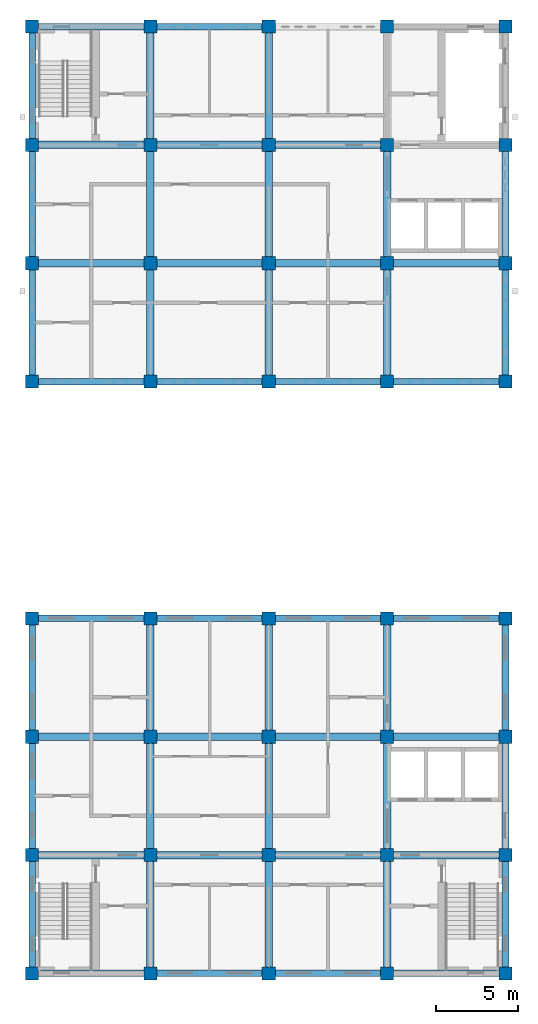
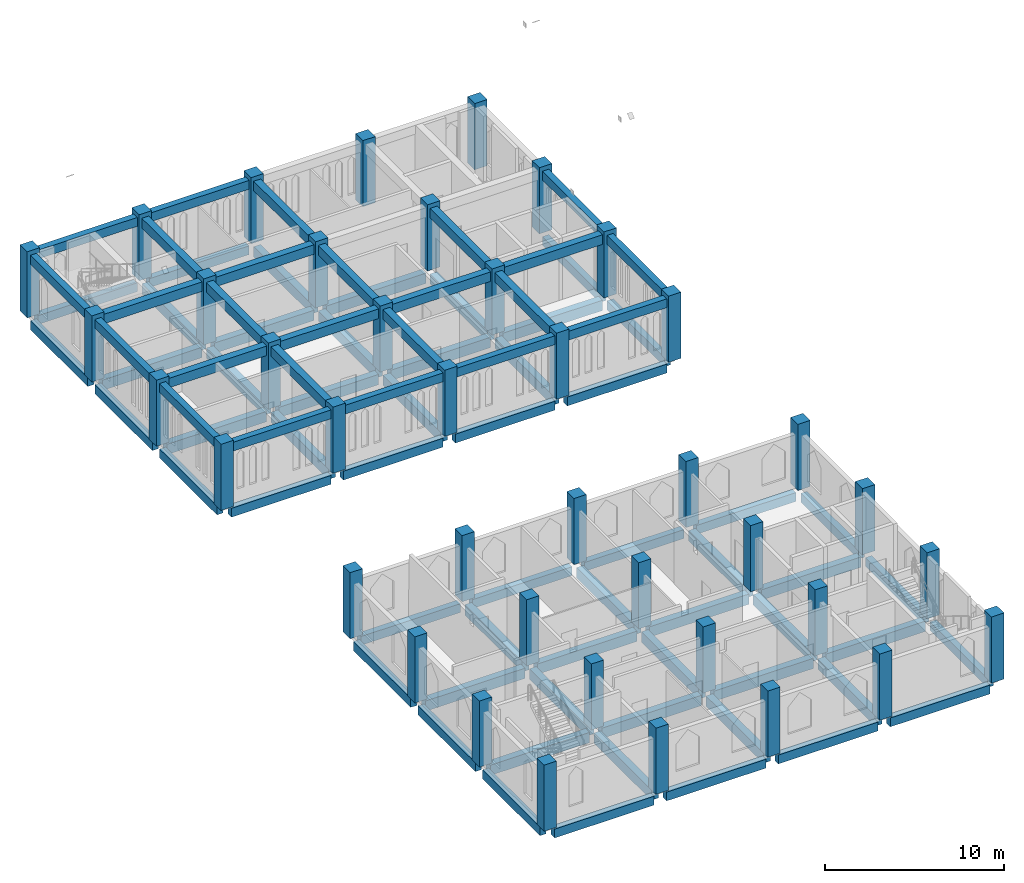
# One storey, part 1 of 13: 82 beams, 40 columns.
"""IFC4 building model written with IfcOpenShell, lengths in metres."""

from ifc_helpers import new_model, si_unit, direction, frame, origin, origin_2d, place, context, subcontext, project, spatial, rectangle, extrude, material, material_profile, profile_set, type_object, element, save


model = new_model("IFC4")

# Units and contexts
model_context = context("Model", 3, precision=1e-05, world=origin(), true_north=direction((0.0, 1.0)))
body_context = subcontext(model_context, "Body", "Model", "MODEL_VIEW")
ifc_project = project(units=[si_unit("LENGTHUNIT", "METRE"), si_unit("AREAUNIT", "SQUARE_METRE"), si_unit("VOLUMEUNIT", "CUBIC_METRE"), si_unit("PLANEANGLEUNIT", "RADIAN"), si_unit("MASSUNIT", "GRAM", prefix="KILO")], contexts=[model_context])

# Site, building, storey
site_placement = place(None, origin())
site = spatial("IfcSite", under=ifc_project, at=site_placement, CompositionType="ELEMENT")
building_placement = place(site_placement, origin())
building = spatial("IfcBuilding", under=site, at=building_placement, Name="Silangan Lancet Faculty of Sciences", CompositionType="ELEMENT")
storey_placement = place(building_placement, frame((0.0, 0.0, 49.800048828125)))
storey = spatial("IfcBuildingStorey", under=building, at=storey_placement, Name="L10", CompositionType="ELEMENT", Elevation=49.800048828125)

# Columns
ifc_material_1 = material(Name="Concrete C40/50", Category="concrete")
ifc_material_profile_1 = material_profile(ifc_material_1, rectangle(XDim=0.800048828125, YDim=0.800048828125, at=origin_2d()), Name="RC 800x800")
ifc_profile_set_1 = profile_set([ifc_material_profile_1], Name="Concrete C40/50")
column_type = type_object("IfcColumnType", Name="COLUMN RC 800x800", PredefinedType="COLUMN", material=ifc_profile_set_1)
for number, where, z_axis, x_axis, name in (
    (1, (0.0, 0.0, 0.0), (0.0, 0.0, 1.0), (1.0, 0.0, 0.0), "COL-L10-1A"),
    (2, (0.0, 7.199951171875, 0.0), (0.0, 0.0, 1.0), (1.0, 0.0, 0.0), "COL-L10-1B"),
    (3, (0.0, 14.39990234375, 0.0), (0.0, 0.0, 1.0), (1.0, 0.0, 0.0), "COL-L10-1C"),
    (4, (0.0, 21.60009765625, 0.0), (0.0, 0.0, 1.0), (1.0, 0.0, 0.0), "COL-L10-1D"),
    (5, (0.0, 36.0, 0.0), (0.0, 0.0, 1.0), (1.0, 0.0, 0.0), "COL-L10-1F"),
    (6, (0.0, 43.199951171875, 0.0), (0.0, 0.0, 1.0), (1.0, 0.0, 0.0), "COL-L10-1G"),
    (7, (0.0, 50.39990234375, 0.0), (0.0, 0.0, 1.0), (1.0, 0.0, 0.0), "COL-L10-1H"),
    (8, (0.0, 57.60009765625, 0.0), (0.0, 0.0, 1.0), (1.0, 0.0, 0.0), "COL-L10-1I"),
    (9, (7.199951171875, 0.0, 0.0), (0.0, 0.0, 1.0), (1.0, 0.0, 0.0), "COL-L10-2A"),
    (10, (7.199951171875, 7.199951171875, 0.0), (0.0, 0.0, 1.0), (1.0, 0.0, 0.0), "COL-L10-2B"),
    (11, (7.199951171875, 14.39990234375, 0.0), (0.0, 0.0, 1.0), (1.0, 0.0, 0.0), "COL-L10-2C"),
    (12, (7.199951171875, 21.60009765625, 0.0), (0.0, 0.0, 1.0), (1.0, 0.0, 0.0), "COL-L10-2D"),
    (13, (7.199951171875, 36.0, 0.0), (0.0, 0.0, 1.0), (1.0, 0.0, 0.0), "COL-L10-2F"),
    (14, (7.199951171875, 43.199951171875, 0.0), (0.0, 0.0, 1.0), (1.0, 0.0, 0.0), "COL-L10-2G"),
    (15, (7.199951171875, 50.39990234375, 0.0), (0.0, 0.0, 1.0), (1.0, 0.0, 0.0), "COL-L10-2H"),
    (16, (7.199951171875, 57.60009765625, 0.0), (0.0, 0.0, 1.0), (1.0, 0.0, 0.0), "COL-L10-2I"),
    (17, (14.39990234375, 0.0, 0.0), (0.0, 0.0, 1.0), (1.0, 0.0, 0.0), "COL-L10-3A"),
    (18, (14.39990234375, 7.199951171875, 0.0), (0.0, 0.0, 1.0), (1.0, 0.0, 0.0), "COL-L10-3B"),
    (19, (14.39990234375, 14.39990234375, 0.0), (0.0, 0.0, 1.0), (1.0, 0.0, 0.0), "COL-L10-3C"),
    (20, (14.39990234375, 21.60009765625, 0.0), (0.0, 0.0, 1.0), (1.0, 0.0, 0.0), "COL-L10-3D"),
    (21, (14.39990234375, 36.0, 0.0), (0.0, 0.0, 1.0), (1.0, 0.0, 0.0), "COL-L10-3F"),
    (22, (14.39990234375, 43.199951171875, 0.0), (0.0, 0.0, 1.0), (1.0, 0.0, 0.0), "COL-L10-3G"),
    (23, (14.39990234375, 50.39990234375, 0.0), (0.0, 0.0, 1.0), (1.0, 0.0, 0.0), "COL-L10-3H"),
    (24, (14.39990234375, 57.60009765625, 0.0), (0.0, 0.0, 1.0), (1.0, 0.0, 0.0), "COL-L10-3I"),
    (25, (21.60009765625, 0.0, 0.0), (0.0, 0.0, 1.0), (1.0, 0.0, 0.0), "COL-L10-4A"),
    (26, (21.60009765625, 7.199951171875, 0.0), (0.0, 0.0, 1.0), (1.0, 0.0, 0.0), "COL-L10-4B"),
    (27, (21.60009765625, 14.39990234375, 0.0), (0.0, 0.0, 1.0), (1.0, 0.0, 0.0), "COL-L10-4C"),
    (28, (21.60009765625, 21.60009765625, 0.0), (0.0, 0.0, 1.0), (1.0, 0.0, 0.0), "COL-L10-4D"),
    (29, (21.60009765625, 36.0, 0.0), (0.0, 0.0, 1.0), (1.0, 0.0, 0.0), "COL-L10-4F"),
    (30, (21.60009765625, 43.199951171875, 0.0), (0.0, 0.0, 1.0), (1.0, 0.0, 0.0), "COL-L10-4G"),
    (31, (21.60009765625, 50.39990234375, 0.0), (0.0, 0.0, 1.0), (1.0, 0.0, 0.0), "COL-L10-4H"),
    (32, (21.60009765625, 57.60009765625, 0.0), (0.0, 0.0, 1.0), (1.0, 0.0, 0.0), "COL-L10-4I"),
    (33, (28.800048828125, 0.0, 0.0), (0.0, 0.0, 1.0), (1.0, 0.0, 0.0), "COL-L10-5A"),
    (34, (28.800048828125, 7.199951171875, 0.0), (0.0, 0.0, 1.0), (1.0, 0.0, 0.0), "COL-L10-5B"),
    (35, (28.800048828125, 14.39990234375, 0.0), (0.0, 0.0, 1.0), (1.0, 0.0, 0.0), "COL-L10-5C"),
    (36, (28.800048828125, 21.60009765625, 0.0), (0.0, 0.0, 1.0), (1.0, 0.0, 0.0), "COL-L10-5D"),
    (37, (28.800048828125, 36.0, 0.0), (0.0, 0.0, 1.0), (1.0, 0.0, 0.0), "COL-L10-5F"),
    (38, (28.800048828125, 43.199951171875, 0.0), (0.0, 0.0, 1.0), (1.0, 0.0, 0.0), "COL-L10-5G"),
    (39, (28.800048828125, 50.39990234375, 0.0), (0.0, 0.0, 1.0), (1.0, 0.0, 0.0), "COL-L10-5H"),
    (40, (28.800048828125, 57.60009765625, 0.0), (0.0, 0.0, 1.0), (1.0, 0.0, 0.0), "COL-L10-5I"),
):
    element("IfcColumn", number, at=place(storey_placement, frame(where, z_axis=z_axis, x_axis=x_axis)), inside=storey, type_object=column_type, Name=name, PredefinedType="COLUMN", context=body_context, shape_type="SweptSolid", body=[
        extrude(rectangle(XDim=0.800048828125, YDim=0.800048828125, at=origin_2d()), origin(), (0.0, 0.0, 1.0), 4.5),
    ])

# Beams
ifc_material_2 = material(Name="Concrete C40/50", Category="concrete")
ifc_material_profile_2 = material_profile(ifc_material_2, rectangle(XDim=0.39990234375, YDim=0.60009765625, at=origin_2d()), Name="RC 400x600")
ifc_profile_set_2 = profile_set([ifc_material_profile_2], Name="Concrete C40/50")
beam_type_1 = type_object("IfcBeamType", Name="BEAM RC 400x600", PredefinedType="BEAM", material=ifc_profile_set_2)
beam_1_placement = place(storey_placement, frame((0.39990234375, 0.0, -0.550048828125), z_axis=(1.0, 0.0, 0.0), x_axis=(0.0, 1.0, 0.0)))
element("IfcBeam", 41, at=beam_1_placement, inside=storey, type_object=beam_type_1, Name="BM-L10-1A-2A", PredefinedType="BEAM", context=body_context, shape_type="SweptSolid", body=[
    extrude(rectangle(XDim=0.39990234375, YDim=0.60009765625, at=origin_2d()), origin(), (0.0, 0.0, 1.0), 6.400146484375),
])
for number, where, z_axis, x_axis, name in (
    (42, (7.60009765625, 0.0, -0.550048828125), (1.0, 0.0, 0.0), (0.0, 1.0, 0.0), "BM-L10-2A-3A"),
    (43, (14.800048828125, 0.0, -0.550048828125), (1.0, 0.0, 0.0), (0.0, 1.0, 0.0), "BM-L10-3A-4A"),
    (44, (22.0, 0.0, -0.550048828125), (1.0, 0.0, 0.0), (0.0, 1.0, 0.0), "BM-L10-4A-5A"),
):
    element("IfcBeam", number, at=place(storey_placement, frame(where, z_axis=z_axis, x_axis=x_axis)), inside=storey, type_object=beam_type_1, Name=name, PredefinedType="BEAM", context=body_context, shape_type="SweptSolid", body=[
        extrude(rectangle(XDim=0.39990234375, YDim=0.60009765625, at=origin_2d()), origin(), (0.0, 0.0, 1.0), 6.39990234375),
    ])
beam_2_placement = place(storey_placement, frame((0.39990234375, 21.60009765625, -0.550048828125), z_axis=(1.0, 0.0, 0.0), x_axis=(0.0, 1.0, 0.0)))
element("IfcBeam", 45, at=beam_2_placement, inside=storey, type_object=beam_type_1, Name="BM-L10-1D-2D", PredefinedType="BEAM", context=body_context, shape_type="SweptSolid", body=[
    extrude(rectangle(XDim=0.39990234375, YDim=0.60009765625, at=origin_2d()), origin(), (0.0, 0.0, 1.0), 6.400146484375),
])
for number, where, z_axis, x_axis, name in (
    (46, (7.60009765625, 21.60009765625, -0.550048828125), (1.0, 0.0, 0.0), (0.0, 1.0, 0.0), "BM-L10-2D-3D"),
    (47, (14.800048828125, 21.60009765625, -0.550048828125), (1.0, 0.0, 0.0), (0.0, 1.0, 0.0), "BM-L10-3D-4D"),
    (48, (22.0, 21.60009765625, -0.550048828125), (1.0, 0.0, 0.0), (0.0, 1.0, 0.0), "BM-L10-4D-5D"),
):
    element("IfcBeam", number, at=place(storey_placement, frame(where, z_axis=z_axis, x_axis=x_axis)), inside=storey, type_object=beam_type_1, Name=name, PredefinedType="BEAM", context=body_context, shape_type="SweptSolid", body=[
        extrude(rectangle(XDim=0.39990234375, YDim=0.60009765625, at=origin_2d()), origin(), (0.0, 0.0, 1.0), 6.39990234375),
    ])
beam_3_placement = place(storey_placement, frame((0.39990234375, 36.0, -0.550048828125), z_axis=(1.0, 0.0, 0.0), x_axis=(0.0, 1.0, 0.0)))
element("IfcBeam", 49, at=beam_3_placement, inside=storey, type_object=beam_type_1, Name="BM-L10-1F-2F", PredefinedType="BEAM", context=body_context, shape_type="SweptSolid", body=[
    extrude(rectangle(XDim=0.39990234375, YDim=0.60009765625, at=origin_2d()), origin(), (0.0, 0.0, 1.0), 6.400146484375),
])
for number, where, z_axis, x_axis, name in (
    (50, (7.60009765625, 36.0, -0.550048828125), (1.0, 0.0, 0.0), (0.0, 1.0, 0.0), "BM-L10-2F-3F"),
    (51, (14.800048828125, 36.0, -0.550048828125), (1.0, 0.0, 0.0), (0.0, 1.0, 0.0), "BM-L10-3F-4F"),
    (52, (22.0, 36.0, -0.550048828125), (1.0, 0.0, 0.0), (0.0, 1.0, 0.0), "BM-L10-4F-5F"),
):
    element("IfcBeam", number, at=place(storey_placement, frame(where, z_axis=z_axis, x_axis=x_axis)), inside=storey, type_object=beam_type_1, Name=name, PredefinedType="BEAM", context=body_context, shape_type="SweptSolid", body=[
        extrude(rectangle(XDim=0.39990234375, YDim=0.60009765625, at=origin_2d()), origin(), (0.0, 0.0, 1.0), 6.39990234375),
    ])
beam_4_placement = place(storey_placement, frame((0.39990234375, 57.60009765625, -0.550048828125), z_axis=(1.0, 0.0, 0.0), x_axis=(0.0, 1.0, 0.0)))
element("IfcBeam", 53, at=beam_4_placement, inside=storey, type_object=beam_type_1, Name="BM-L10-1I-2I", PredefinedType="BEAM", context=body_context, shape_type="SweptSolid", body=[
    extrude(rectangle(XDim=0.39990234375, YDim=0.60009765625, at=origin_2d()), origin(), (0.0, 0.0, 1.0), 6.400146484375),
])
beam_5_placement = place(storey_placement, frame((7.60009765625, 57.60009765625, -0.550048828125), z_axis=(1.0, 0.0, 0.0), x_axis=(0.0, 1.0, 0.0)))
element("IfcBeam", 54, at=beam_5_placement, inside=storey, type_object=beam_type_1, Name="BM-L10-2I-3I", PredefinedType="BEAM", context=body_context, shape_type="SweptSolid", body=[
    extrude(rectangle(XDim=0.39990234375, YDim=0.60009765625, at=origin_2d()), origin(), (0.0, 0.0, 1.0), 6.39990234375),
])
beam_6_placement = place(storey_placement, frame((0.0, 0.39990234375, -0.550048828125), z_axis=(0.0, 1.0, 0.0), x_axis=(-1.0, 0.0, 0.0)))
element("IfcBeam", 55, at=beam_6_placement, inside=storey, type_object=beam_type_1, Name="BM-L10-1A-1B", PredefinedType="BEAM", context=body_context, shape_type="SweptSolid", body=[
    extrude(rectangle(XDim=0.39990234375, YDim=0.60009765625, at=origin_2d()), origin(), (0.0, 0.0, 1.0), 6.400146484375),
])
for number, where, z_axis, x_axis, name in (
    (56, (0.0, 7.60009765625, -0.550048828125), (0.0, 1.0, 0.0), (-1.0, 0.0, 0.0), "BM-L10-1B-1C"),
    (57, (0.0, 14.800048828125, -0.550048828125), (0.0, 1.0, 0.0), (-1.0, 0.0, 0.0), "BM-L10-1C-1D"),
):
    element("IfcBeam", number, at=place(storey_placement, frame(where, z_axis=z_axis, x_axis=x_axis)), inside=storey, type_object=beam_type_1, Name=name, PredefinedType="BEAM", context=body_context, shape_type="SweptSolid", body=[
        extrude(rectangle(XDim=0.39990234375, YDim=0.60009765625, at=origin_2d()), origin(), (0.0, 0.0, 1.0), 6.39990234375),
    ])
beam_7_placement = place(storey_placement, frame((0.0, 36.39990234375, -0.550048828125), z_axis=(0.0, 1.0, 0.0), x_axis=(-1.0, 0.0, 0.0)))
element("IfcBeam", 58, at=beam_7_placement, inside=storey, type_object=beam_type_1, Name="BM-L10-1F-1G", PredefinedType="BEAM", context=body_context, shape_type="SweptSolid", body=[
    extrude(rectangle(XDim=0.39990234375, YDim=0.60009765625, at=origin_2d()), origin(), (0.0, 0.0, 1.0), 6.400146484375),
])
for number, where, z_axis, x_axis, name in (
    (59, (0.0, 43.60009765625, -0.550048828125), (0.0, 1.0, 0.0), (-1.0, 0.0, 0.0), "BM-L10-1G-1H"),
    (60, (0.0, 50.800048828125, -0.550048828125), (0.0, 1.0, 0.0), (-1.0, 0.0, 0.0), "BM-L10-1H-1I"),
):
    element("IfcBeam", number, at=place(storey_placement, frame(where, z_axis=z_axis, x_axis=x_axis)), inside=storey, type_object=beam_type_1, Name=name, PredefinedType="BEAM", context=body_context, shape_type="SweptSolid", body=[
        extrude(rectangle(XDim=0.39990234375, YDim=0.60009765625, at=origin_2d()), origin(), (0.0, 0.0, 1.0), 6.39990234375),
    ])
beam_8_placement = place(storey_placement, frame((28.800048828125, 0.39990234375, -0.550048828125), z_axis=(0.0, 1.0, 0.0), x_axis=(-1.0, 0.0, 0.0)))
element("IfcBeam", 61, at=beam_8_placement, inside=storey, type_object=beam_type_1, Name="BM-L10-5A-5B", PredefinedType="BEAM", context=body_context, shape_type="SweptSolid", body=[
    extrude(rectangle(XDim=0.39990234375, YDim=0.60009765625, at=origin_2d()), origin(), (0.0, 0.0, 1.0), 6.400146484375),
])
for number, where, z_axis, x_axis, name in (
    (62, (28.800048828125, 7.60009765625, -0.550048828125), (0.0, 1.0, 0.0), (-1.0, 0.0, 0.0), "BM-L10-5B-5C"),
    (63, (28.800048828125, 14.800048828125, -0.550048828125), (0.0, 1.0, 0.0), (-1.0, 0.0, 0.0), "BM-L10-5C-5D"),
):
    element("IfcBeam", number, at=place(storey_placement, frame(where, z_axis=z_axis, x_axis=x_axis)), inside=storey, type_object=beam_type_1, Name=name, PredefinedType="BEAM", context=body_context, shape_type="SweptSolid", body=[
        extrude(rectangle(XDim=0.39990234375, YDim=0.60009765625, at=origin_2d()), origin(), (0.0, 0.0, 1.0), 6.39990234375),
    ])
beam_9_placement = place(storey_placement, frame((28.800048828125, 36.39990234375, -0.550048828125), z_axis=(0.0, 1.0, 0.0), x_axis=(-1.0, 0.0, 0.0)))
element("IfcBeam", 64, at=beam_9_placement, inside=storey, type_object=beam_type_1, Name="BM-L10-5F-5G", PredefinedType="BEAM", context=body_context, shape_type="SweptSolid", body=[
    extrude(rectangle(XDim=0.39990234375, YDim=0.60009765625, at=origin_2d()), origin(), (0.0, 0.0, 1.0), 6.400146484375),
])
beam_10_placement = place(storey_placement, frame((28.800048828125, 43.60009765625, -0.550048828125), z_axis=(0.0, 1.0, 0.0), x_axis=(-1.0, 0.0, 0.0)))
element("IfcBeam", 65, at=beam_10_placement, inside=storey, type_object=beam_type_1, Name="BM-L10-5G-5H", PredefinedType="BEAM", context=body_context, shape_type="SweptSolid", body=[
    extrude(rectangle(XDim=0.39990234375, YDim=0.60009765625, at=origin_2d()), origin(), (0.0, 0.0, 1.0), 6.39990234375),
])
beam_11_placement = place(storey_placement, frame((0.39990234375, 36.0, 3.89990234375), z_axis=(1.0, 0.0, 0.0), x_axis=(0.0, 1.0, 0.0)))
element("IfcBeam", 66, at=beam_11_placement, inside=storey, type_object=beam_type_1, Name="RB-L10-1F-2F", PredefinedType="BEAM", context=body_context, shape_type="SweptSolid", body=[
    extrude(rectangle(XDim=0.39990234375, YDim=0.60009765625, at=origin_2d()), origin(), (0.0, 0.0, 1.0), 6.400146484375),
])
for number, where, z_axis, x_axis, name in (
    (67, (7.60009765625, 36.0, 3.89990234375), (1.0, 0.0, 0.0), (0.0, 1.0, 0.0), "RB-L10-2F-3F"),
    (68, (14.800048828125, 36.0, 3.89990234375), (1.0, 0.0, 0.0), (0.0, 1.0, 0.0), "RB-L10-3F-4F"),
    (69, (22.0, 36.0, 3.89990234375), (1.0, 0.0, 0.0), (0.0, 1.0, 0.0), "RB-L10-4F-5F"),
):
    element("IfcBeam", number, at=place(storey_placement, frame(where, z_axis=z_axis, x_axis=x_axis)), inside=storey, type_object=beam_type_1, Name=name, PredefinedType="BEAM", context=body_context, shape_type="SweptSolid", body=[
        extrude(rectangle(XDim=0.39990234375, YDim=0.60009765625, at=origin_2d()), origin(), (0.0, 0.0, 1.0), 6.39990234375),
    ])
beam_12_placement = place(storey_placement, frame((0.39990234375, 57.60009765625, 3.89990234375), z_axis=(1.0, 0.0, 0.0), x_axis=(0.0, 1.0, 0.0)))
element("IfcBeam", 70, at=beam_12_placement, inside=storey, type_object=beam_type_1, Name="RB-L10-1I-2I", PredefinedType="BEAM", context=body_context, shape_type="SweptSolid", body=[
    extrude(rectangle(XDim=0.39990234375, YDim=0.60009765625, at=origin_2d()), origin(), (0.0, 0.0, 1.0), 6.400146484375),
])
beam_13_placement = place(storey_placement, frame((7.60009765625, 57.60009765625, 3.89990234375), z_axis=(1.0, 0.0, 0.0), x_axis=(0.0, 1.0, 0.0)))
element("IfcBeam", 71, at=beam_13_placement, inside=storey, type_object=beam_type_1, Name="RB-L10-2I-3I", PredefinedType="BEAM", context=body_context, shape_type="SweptSolid", body=[
    extrude(rectangle(XDim=0.39990234375, YDim=0.60009765625, at=origin_2d()), origin(), (0.0, 0.0, 1.0), 6.39990234375),
])
beam_14_placement = place(storey_placement, frame((0.0, 36.39990234375, 3.89990234375), z_axis=(0.0, 1.0, 0.0), x_axis=(-1.0, 0.0, 0.0)))
element("IfcBeam", 72, at=beam_14_placement, inside=storey, type_object=beam_type_1, Name="RB-L10-1F-1G", PredefinedType="BEAM", context=body_context, shape_type="SweptSolid", body=[
    extrude(rectangle(XDim=0.39990234375, YDim=0.60009765625, at=origin_2d()), origin(), (0.0, 0.0, 1.0), 6.400146484375),
])
for number, where, z_axis, x_axis, name in (
    (73, (0.0, 43.60009765625, 3.89990234375), (0.0, 1.0, 0.0), (-1.0, 0.0, 0.0), "RB-L10-1G-1H"),
    (74, (0.0, 50.800048828125, 3.89990234375), (0.0, 1.0, 0.0), (-1.0, 0.0, 0.0), "RB-L10-1H-1I"),
):
    element("IfcBeam", number, at=place(storey_placement, frame(where, z_axis=z_axis, x_axis=x_axis)), inside=storey, type_object=beam_type_1, Name=name, PredefinedType="BEAM", context=body_context, shape_type="SweptSolid", body=[
        extrude(rectangle(XDim=0.39990234375, YDim=0.60009765625, at=origin_2d()), origin(), (0.0, 0.0, 1.0), 6.39990234375),
    ])
beam_15_placement = place(storey_placement, frame((28.800048828125, 36.39990234375, 3.89990234375), z_axis=(0.0, 1.0, 0.0), x_axis=(-1.0, 0.0, 0.0)))
element("IfcBeam", 75, at=beam_15_placement, inside=storey, type_object=beam_type_1, Name="RB-L10-5F-5G", PredefinedType="BEAM", context=body_context, shape_type="SweptSolid", body=[
    extrude(rectangle(XDim=0.39990234375, YDim=0.60009765625, at=origin_2d()), origin(), (0.0, 0.0, 1.0), 6.400146484375),
])
beam_16_placement = place(storey_placement, frame((28.800048828125, 43.60009765625, 3.89990234375), z_axis=(0.0, 1.0, 0.0), x_axis=(-1.0, 0.0, 0.0)))
element("IfcBeam", 76, at=beam_16_placement, inside=storey, type_object=beam_type_1, Name="RB-L10-5G-5H", PredefinedType="BEAM", context=body_context, shape_type="SweptSolid", body=[
    extrude(rectangle(XDim=0.39990234375, YDim=0.60009765625, at=origin_2d()), origin(), (0.0, 0.0, 1.0), 6.39990234375),
])
ifc_material_3 = material(Name="Concrete C40/50", Category="concrete")
ifc_material_profile_3 = material_profile(ifc_material_3, rectangle(XDim=0.449951171875, YDim=0.64990234375, at=origin_2d()), Name="RC 450x650")
ifc_profile_set_3 = profile_set([ifc_material_profile_3], Name="Concrete C40/50")
beam_type_2 = type_object("IfcBeamType", Name="BEAM RC 450x650", PredefinedType="BEAM", material=ifc_profile_set_3)
beam_17_placement = place(storey_placement, frame((0.39990234375, 43.199951171875, 3.875), z_axis=(1.0, 0.0, 0.0), x_axis=(0.0, 1.0, 0.0)))
element("IfcBeam", 77, at=beam_17_placement, inside=storey, type_object=beam_type_2, Name="RB-L10-1G-2G", PredefinedType="BEAM", context=body_context, shape_type="SweptSolid", body=[
    extrude(rectangle(XDim=0.449951171875, YDim=0.64990234375, at=origin_2d()), origin(), (0.0, 0.0, 1.0), 6.400146484375),
])
for number, where, z_axis, x_axis, name in (
    (78, (7.60009765625, 43.199951171875, 3.875), (1.0, 0.0, 0.0), (0.0, 1.0, 0.0), "RB-L10-2G-3G"),
    (79, (14.800048828125, 43.199951171875, 3.875), (1.0, 0.0, 0.0), (0.0, 1.0, 0.0), "RB-L10-3G-4G"),
    (80, (22.0, 43.199951171875, 3.875), (1.0, 0.0, 0.0), (0.0, 1.0, 0.0), "RB-L10-4G-5G"),
):
    element("IfcBeam", number, at=place(storey_placement, frame(where, z_axis=z_axis, x_axis=x_axis)), inside=storey, type_object=beam_type_2, Name=name, PredefinedType="BEAM", context=body_context, shape_type="SweptSolid", body=[
        extrude(rectangle(XDim=0.449951171875, YDim=0.64990234375, at=origin_2d()), origin(), (0.0, 0.0, 1.0), 6.39990234375),
    ])
beam_18_placement = place(storey_placement, frame((0.39990234375, 50.39990234375, 3.875), z_axis=(1.0, 0.0, 0.0), x_axis=(0.0, 1.0, 0.0)))
element("IfcBeam", 81, at=beam_18_placement, inside=storey, type_object=beam_type_2, Name="RB-L10-1H-2H", PredefinedType="BEAM", context=body_context, shape_type="SweptSolid", body=[
    extrude(rectangle(XDim=0.449951171875, YDim=0.64990234375, at=origin_2d()), origin(), (0.0, 0.0, 1.0), 6.400146484375),
])
beam_19_placement = place(storey_placement, frame((7.60009765625, 50.39990234375, 3.875), z_axis=(1.0, 0.0, 0.0), x_axis=(0.0, 1.0, 0.0)))
element("IfcBeam", 82, at=beam_19_placement, inside=storey, type_object=beam_type_2, Name="RB-L10-2H-3H", PredefinedType="BEAM", context=body_context, shape_type="SweptSolid", body=[
    extrude(rectangle(XDim=0.449951171875, YDim=0.64990234375, at=origin_2d()), origin(), (0.0, 0.0, 1.0), 6.39990234375),
])
beam_20_placement = place(storey_placement, frame((7.199951171875, 36.39990234375, 3.875), z_axis=(0.0, 1.0, 0.0), x_axis=(-1.0, 0.0, 0.0)))
element("IfcBeam", 83, at=beam_20_placement, inside=storey, type_object=beam_type_2, Name="RB-L10-2F-2G", PredefinedType="BEAM", context=body_context, shape_type="SweptSolid", body=[
    extrude(rectangle(XDim=0.449951171875, YDim=0.64990234375, at=origin_2d()), origin(), (0.0, 0.0, 1.0), 6.400146484375),
])
for number, where, z_axis, x_axis, name in (
    (84, (7.199951171875, 43.60009765625, 3.875), (0.0, 1.0, 0.0), (-1.0, 0.0, 0.0), "RB-L10-2G-2H"),
    (85, (7.199951171875, 50.800048828125, 3.875), (0.0, 1.0, 0.0), (-1.0, 0.0, 0.0), "RB-L10-2H-2I"),
):
    element("IfcBeam", number, at=place(storey_placement, frame(where, z_axis=z_axis, x_axis=x_axis)), inside=storey, type_object=beam_type_2, Name=name, PredefinedType="BEAM", context=body_context, shape_type="SweptSolid", body=[
        extrude(rectangle(XDim=0.449951171875, YDim=0.64990234375, at=origin_2d()), origin(), (0.0, 0.0, 1.0), 6.39990234375),
    ])
beam_21_placement = place(storey_placement, frame((14.39990234375, 36.39990234375, 3.875), z_axis=(0.0, 1.0, 0.0), x_axis=(-1.0, 0.0, 0.0)))
element("IfcBeam", 86, at=beam_21_placement, inside=storey, type_object=beam_type_2, Name="RB-L10-3F-3G", PredefinedType="BEAM", context=body_context, shape_type="SweptSolid", body=[
    extrude(rectangle(XDim=0.449951171875, YDim=0.64990234375, at=origin_2d()), origin(), (0.0, 0.0, 1.0), 6.400146484375),
])
for number, where, z_axis, x_axis, name in (
    (87, (14.39990234375, 43.60009765625, 3.875), (0.0, 1.0, 0.0), (-1.0, 0.0, 0.0), "RB-L10-3G-3H"),
    (88, (14.39990234375, 50.800048828125, 3.875), (0.0, 1.0, 0.0), (-1.0, 0.0, 0.0), "RB-L10-3H-3I"),
):
    element("IfcBeam", number, at=place(storey_placement, frame(where, z_axis=z_axis, x_axis=x_axis)), inside=storey, type_object=beam_type_2, Name=name, PredefinedType="BEAM", context=body_context, shape_type="SweptSolid", body=[
        extrude(rectangle(XDim=0.449951171875, YDim=0.64990234375, at=origin_2d()), origin(), (0.0, 0.0, 1.0), 6.39990234375),
    ])
beam_22_placement = place(storey_placement, frame((21.60009765625, 36.39990234375, 3.875), z_axis=(0.0, 1.0, 0.0), x_axis=(-1.0, 0.0, 0.0)))
element("IfcBeam", 89, at=beam_22_placement, inside=storey, type_object=beam_type_2, Name="RB-L10-4F-4G", PredefinedType="BEAM", context=body_context, shape_type="SweptSolid", body=[
    extrude(rectangle(XDim=0.449951171875, YDim=0.64990234375, at=origin_2d()), origin(), (0.0, 0.0, 1.0), 6.400146484375),
])
beam_23_placement = place(storey_placement, frame((21.60009765625, 43.60009765625, 3.875), z_axis=(0.0, 1.0, 0.0), x_axis=(-1.0, 0.0, 0.0)))
element("IfcBeam", 90, at=beam_23_placement, inside=storey, type_object=beam_type_2, Name="RB-L10-4G-4H", PredefinedType="BEAM", context=body_context, shape_type="SweptSolid", body=[
    extrude(rectangle(XDim=0.449951171875, YDim=0.64990234375, at=origin_2d()), origin(), (0.0, 0.0, 1.0), 6.39990234375),
])
ifc_material_4 = material(Name="Concrete C40/50", Category="concrete")
ifc_material_profile_4 = material_profile(ifc_material_4, rectangle(XDim=0.449951171875, YDim=0.699951171875, at=origin_2d()), Name="RC 450x700")
ifc_profile_set_4 = profile_set([ifc_material_profile_4], Name="Concrete C40/50")
beam_type_3 = type_object("IfcBeamType", Name="BEAM RC 450x700", PredefinedType="BEAM", material=ifc_profile_set_4)
beam_24_placement = place(storey_placement, frame((0.39990234375, 7.199951171875, -0.60009765625), z_axis=(1.0, 0.0, 0.0), x_axis=(0.0, 1.0, 0.0)))
element("IfcBeam", 91, at=beam_24_placement, inside=storey, type_object=beam_type_3, Name="BM-L10-1B-2B", PredefinedType="BEAM", context=body_context, shape_type="SweptSolid", body=[
    extrude(rectangle(XDim=0.449951171875, YDim=0.699951171875, at=origin_2d()), origin(), (0.0, 0.0, 1.0), 6.400146484375),
])
for number, where, z_axis, x_axis, name in (
    (92, (7.60009765625, 7.199951171875, -0.60009765625), (1.0, 0.0, 0.0), (0.0, 1.0, 0.0), "BM-L10-2B-3B"),
    (93, (14.800048828125, 7.199951171875, -0.60009765625), (1.0, 0.0, 0.0), (0.0, 1.0, 0.0), "BM-L10-3B-4B"),
    (94, (22.0, 7.199951171875, -0.60009765625), (1.0, 0.0, 0.0), (0.0, 1.0, 0.0), "BM-L10-4B-5B"),
):
    element("IfcBeam", number, at=place(storey_placement, frame(where, z_axis=z_axis, x_axis=x_axis)), inside=storey, type_object=beam_type_3, Name=name, PredefinedType="BEAM", context=body_context, shape_type="SweptSolid", body=[
        extrude(rectangle(XDim=0.449951171875, YDim=0.699951171875, at=origin_2d()), origin(), (0.0, 0.0, 1.0), 6.39990234375),
    ])
beam_25_placement = place(storey_placement, frame((0.39990234375, 14.39990234375, -0.60009765625), z_axis=(1.0, 0.0, 0.0), x_axis=(0.0, 1.0, 0.0)))
element("IfcBeam", 95, at=beam_25_placement, inside=storey, type_object=beam_type_3, Name="BM-L10-1C-2C", PredefinedType="BEAM", context=body_context, shape_type="SweptSolid", body=[
    extrude(rectangle(XDim=0.449951171875, YDim=0.699951171875, at=origin_2d()), origin(), (0.0, 0.0, 1.0), 6.400146484375),
])
for number, where, z_axis, x_axis, name in (
    (96, (7.60009765625, 14.39990234375, -0.60009765625), (1.0, 0.0, 0.0), (0.0, 1.0, 0.0), "BM-L10-2C-3C"),
    (97, (14.800048828125, 14.39990234375, -0.60009765625), (1.0, 0.0, 0.0), (0.0, 1.0, 0.0), "BM-L10-3C-4C"),
    (98, (22.0, 14.39990234375, -0.60009765625), (1.0, 0.0, 0.0), (0.0, 1.0, 0.0), "BM-L10-4C-5C"),
):
    element("IfcBeam", number, at=place(storey_placement, frame(where, z_axis=z_axis, x_axis=x_axis)), inside=storey, type_object=beam_type_3, Name=name, PredefinedType="BEAM", context=body_context, shape_type="SweptSolid", body=[
        extrude(rectangle(XDim=0.449951171875, YDim=0.699951171875, at=origin_2d()), origin(), (0.0, 0.0, 1.0), 6.39990234375),
    ])
beam_26_placement = place(storey_placement, frame((0.39990234375, 43.199951171875, -0.60009765625), z_axis=(1.0, 0.0, 0.0), x_axis=(0.0, 1.0, 0.0)))
element("IfcBeam", 99, at=beam_26_placement, inside=storey, type_object=beam_type_3, Name="BM-L10-1G-2G", PredefinedType="BEAM", context=body_context, shape_type="SweptSolid", body=[
    extrude(rectangle(XDim=0.449951171875, YDim=0.699951171875, at=origin_2d()), origin(), (0.0, 0.0, 1.0), 6.400146484375),
])
for number, where, z_axis, x_axis, name in (
    (100, (7.60009765625, 43.199951171875, -0.60009765625), (1.0, 0.0, 0.0), (0.0, 1.0, 0.0), "BM-L10-2G-3G"),
    (101, (14.800048828125, 43.199951171875, -0.60009765625), (1.0, 0.0, 0.0), (0.0, 1.0, 0.0), "BM-L10-3G-4G"),
    (102, (22.0, 43.199951171875, -0.60009765625), (1.0, 0.0, 0.0), (0.0, 1.0, 0.0), "BM-L10-4G-5G"),
):
    element("IfcBeam", number, at=place(storey_placement, frame(where, z_axis=z_axis, x_axis=x_axis)), inside=storey, type_object=beam_type_3, Name=name, PredefinedType="BEAM", context=body_context, shape_type="SweptSolid", body=[
        extrude(rectangle(XDim=0.449951171875, YDim=0.699951171875, at=origin_2d()), origin(), (0.0, 0.0, 1.0), 6.39990234375),
    ])
beam_27_placement = place(storey_placement, frame((0.39990234375, 50.39990234375, -0.60009765625), z_axis=(1.0, 0.0, 0.0), x_axis=(0.0, 1.0, 0.0)))
element("IfcBeam", 103, at=beam_27_placement, inside=storey, type_object=beam_type_3, Name="BM-L10-1H-2H", PredefinedType="BEAM", context=body_context, shape_type="SweptSolid", body=[
    extrude(rectangle(XDim=0.449951171875, YDim=0.699951171875, at=origin_2d()), origin(), (0.0, 0.0, 1.0), 6.400146484375),
])
for number, where, z_axis, x_axis, name in (
    (104, (7.60009765625, 50.39990234375, -0.60009765625), (1.0, 0.0, 0.0), (0.0, 1.0, 0.0), "BM-L10-2H-3H"),
    (105, (14.800048828125, 50.39990234375, -0.60009765625), (1.0, 0.0, 0.0), (0.0, 1.0, 0.0), "BM-L10-3H-4H"),
):
    element("IfcBeam", number, at=place(storey_placement, frame(where, z_axis=z_axis, x_axis=x_axis)), inside=storey, type_object=beam_type_3, Name=name, PredefinedType="BEAM", context=body_context, shape_type="SweptSolid", body=[
        extrude(rectangle(XDim=0.449951171875, YDim=0.699951171875, at=origin_2d()), origin(), (0.0, 0.0, 1.0), 6.39990234375),
    ])
beam_28_placement = place(storey_placement, frame((7.199951171875, 0.39990234375, -0.60009765625), z_axis=(0.0, 1.0, 0.0), x_axis=(-1.0, 0.0, 0.0)))
element("IfcBeam", 106, at=beam_28_placement, inside=storey, type_object=beam_type_3, Name="BM-L10-2A-2B", PredefinedType="BEAM", context=body_context, shape_type="SweptSolid", body=[
    extrude(rectangle(XDim=0.449951171875, YDim=0.699951171875, at=origin_2d()), origin(), (0.0, 0.0, 1.0), 6.400146484375),
])
for number, where, z_axis, x_axis, name in (
    (107, (7.199951171875, 7.60009765625, -0.60009765625), (0.0, 1.0, 0.0), (-1.0, 0.0, 0.0), "BM-L10-2B-2C"),
    (108, (7.199951171875, 14.800048828125, -0.60009765625), (0.0, 1.0, 0.0), (-1.0, 0.0, 0.0), "BM-L10-2C-2D"),
):
    element("IfcBeam", number, at=place(storey_placement, frame(where, z_axis=z_axis, x_axis=x_axis)), inside=storey, type_object=beam_type_3, Name=name, PredefinedType="BEAM", context=body_context, shape_type="SweptSolid", body=[
        extrude(rectangle(XDim=0.449951171875, YDim=0.699951171875, at=origin_2d()), origin(), (0.0, 0.0, 1.0), 6.39990234375),
    ])
beam_29_placement = place(storey_placement, frame((7.199951171875, 36.39990234375, -0.60009765625), z_axis=(0.0, 1.0, 0.0), x_axis=(-1.0, 0.0, 0.0)))
element("IfcBeam", 109, at=beam_29_placement, inside=storey, type_object=beam_type_3, Name="BM-L10-2F-2G", PredefinedType="BEAM", context=body_context, shape_type="SweptSolid", body=[
    extrude(rectangle(XDim=0.449951171875, YDim=0.699951171875, at=origin_2d()), origin(), (0.0, 0.0, 1.0), 6.400146484375),
])
for number, where, z_axis, x_axis, name in (
    (110, (7.199951171875, 43.60009765625, -0.60009765625), (0.0, 1.0, 0.0), (-1.0, 0.0, 0.0), "BM-L10-2G-2H"),
    (111, (7.199951171875, 50.800048828125, -0.60009765625), (0.0, 1.0, 0.0), (-1.0, 0.0, 0.0), "BM-L10-2H-2I"),
):
    element("IfcBeam", number, at=place(storey_placement, frame(where, z_axis=z_axis, x_axis=x_axis)), inside=storey, type_object=beam_type_3, Name=name, PredefinedType="BEAM", context=body_context, shape_type="SweptSolid", body=[
        extrude(rectangle(XDim=0.449951171875, YDim=0.699951171875, at=origin_2d()), origin(), (0.0, 0.0, 1.0), 6.39990234375),
    ])
beam_30_placement = place(storey_placement, frame((14.39990234375, 0.39990234375, -0.60009765625), z_axis=(0.0, 1.0, 0.0), x_axis=(-1.0, 0.0, 0.0)))
element("IfcBeam", 112, at=beam_30_placement, inside=storey, type_object=beam_type_3, Name="BM-L10-3A-3B", PredefinedType="BEAM", context=body_context, shape_type="SweptSolid", body=[
    extrude(rectangle(XDim=0.449951171875, YDim=0.699951171875, at=origin_2d()), origin(), (0.0, 0.0, 1.0), 6.400146484375),
])
for number, where, z_axis, x_axis, name in (
    (113, (14.39990234375, 7.60009765625, -0.60009765625), (0.0, 1.0, 0.0), (-1.0, 0.0, 0.0), "BM-L10-3B-3C"),
    (114, (14.39990234375, 14.800048828125, -0.60009765625), (0.0, 1.0, 0.0), (-1.0, 0.0, 0.0), "BM-L10-3C-3D"),
):
    element("IfcBeam", number, at=place(storey_placement, frame(where, z_axis=z_axis, x_axis=x_axis)), inside=storey, type_object=beam_type_3, Name=name, PredefinedType="BEAM", context=body_context, shape_type="SweptSolid", body=[
        extrude(rectangle(XDim=0.449951171875, YDim=0.699951171875, at=origin_2d()), origin(), (0.0, 0.0, 1.0), 6.39990234375),
    ])
beam_31_placement = place(storey_placement, frame((14.39990234375, 36.39990234375, -0.60009765625), z_axis=(0.0, 1.0, 0.0), x_axis=(-1.0, 0.0, 0.0)))
element("IfcBeam", 115, at=beam_31_placement, inside=storey, type_object=beam_type_3, Name="BM-L10-3F-3G", PredefinedType="BEAM", context=body_context, shape_type="SweptSolid", body=[
    extrude(rectangle(XDim=0.449951171875, YDim=0.699951171875, at=origin_2d()), origin(), (0.0, 0.0, 1.0), 6.400146484375),
])
for number, where, z_axis, x_axis, name in (
    (116, (14.39990234375, 43.60009765625, -0.60009765625), (0.0, 1.0, 0.0), (-1.0, 0.0, 0.0), "BM-L10-3G-3H"),
    (117, (14.39990234375, 50.800048828125, -0.60009765625), (0.0, 1.0, 0.0), (-1.0, 0.0, 0.0), "BM-L10-3H-3I"),
):
    element("IfcBeam", number, at=place(storey_placement, frame(where, z_axis=z_axis, x_axis=x_axis)), inside=storey, type_object=beam_type_3, Name=name, PredefinedType="BEAM", context=body_context, shape_type="SweptSolid", body=[
        extrude(rectangle(XDim=0.449951171875, YDim=0.699951171875, at=origin_2d()), origin(), (0.0, 0.0, 1.0), 6.39990234375),
    ])
beam_32_placement = place(storey_placement, frame((21.60009765625, 0.39990234375, -0.60009765625), z_axis=(0.0, 1.0, 0.0), x_axis=(-1.0, 0.0, 0.0)))
element("IfcBeam", 118, at=beam_32_placement, inside=storey, type_object=beam_type_3, Name="BM-L10-4A-4B", PredefinedType="BEAM", context=body_context, shape_type="SweptSolid", body=[
    extrude(rectangle(XDim=0.449951171875, YDim=0.699951171875, at=origin_2d()), origin(), (0.0, 0.0, 1.0), 6.400146484375),
])
for number, where, z_axis, x_axis, name in (
    (119, (21.60009765625, 7.60009765625, -0.60009765625), (0.0, 1.0, 0.0), (-1.0, 0.0, 0.0), "BM-L10-4B-4C"),
    (120, (21.60009765625, 14.800048828125, -0.60009765625), (0.0, 1.0, 0.0), (-1.0, 0.0, 0.0), "BM-L10-4C-4D"),
):
    element("IfcBeam", number, at=place(storey_placement, frame(where, z_axis=z_axis, x_axis=x_axis)), inside=storey, type_object=beam_type_3, Name=name, PredefinedType="BEAM", context=body_context, shape_type="SweptSolid", body=[
        extrude(rectangle(XDim=0.449951171875, YDim=0.699951171875, at=origin_2d()), origin(), (0.0, 0.0, 1.0), 6.39990234375),
    ])
beam_33_placement = place(storey_placement, frame((21.60009765625, 36.39990234375, -0.60009765625), z_axis=(0.0, 1.0, 0.0), x_axis=(-1.0, 0.0, 0.0)))
element("IfcBeam", 121, at=beam_33_placement, inside=storey, type_object=beam_type_3, Name="BM-L10-4F-4G", PredefinedType="BEAM", context=body_context, shape_type="SweptSolid", body=[
    extrude(rectangle(XDim=0.449951171875, YDim=0.699951171875, at=origin_2d()), origin(), (0.0, 0.0, 1.0), 6.400146484375),
])
beam_34_placement = place(storey_placement, frame((21.60009765625, 43.60009765625, -0.60009765625), z_axis=(0.0, 1.0, 0.0), x_axis=(-1.0, 0.0, 0.0)))
element("IfcBeam", 122, at=beam_34_placement, inside=storey, type_object=beam_type_3, Name="BM-L10-4G-4H", PredefinedType="BEAM", context=body_context, shape_type="SweptSolid", body=[
    extrude(rectangle(XDim=0.449951171875, YDim=0.699951171875, at=origin_2d()), origin(), (0.0, 0.0, 1.0), 6.39990234375),
])

save(model, "model.ifc")
